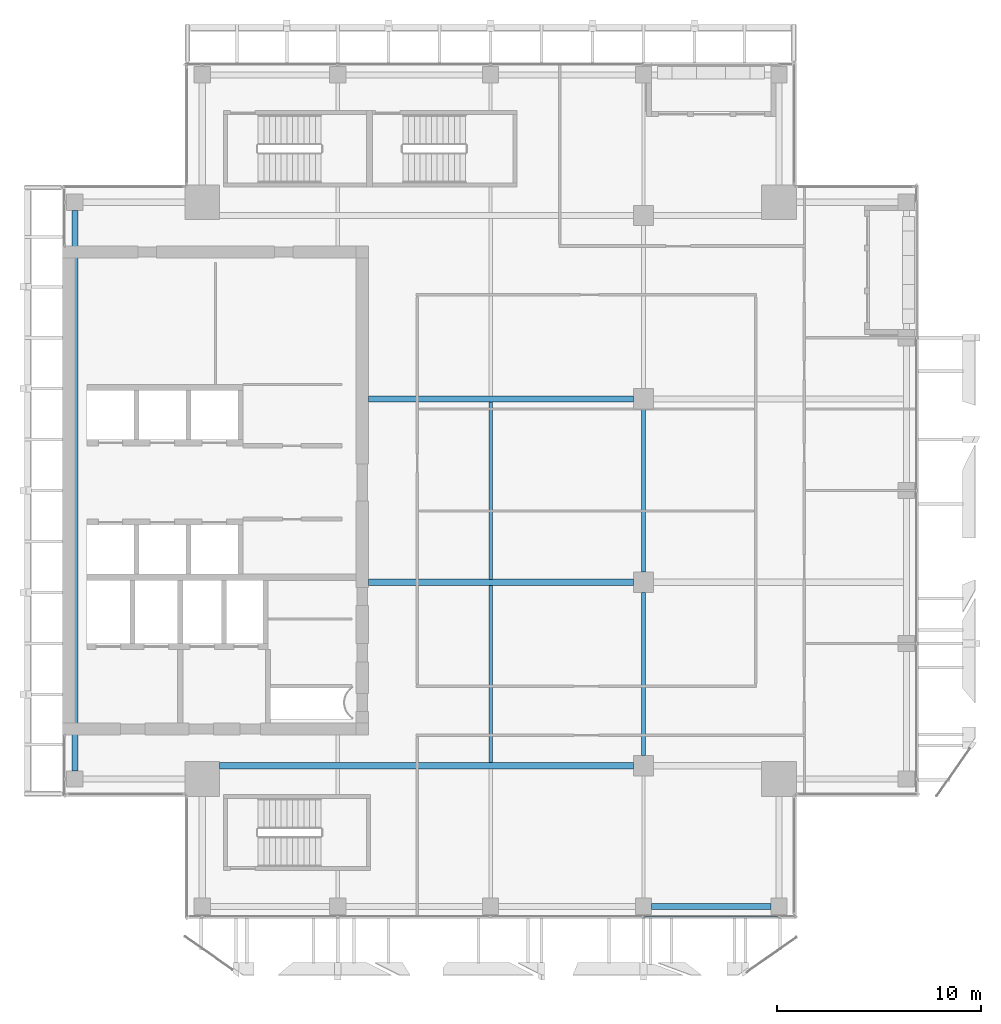
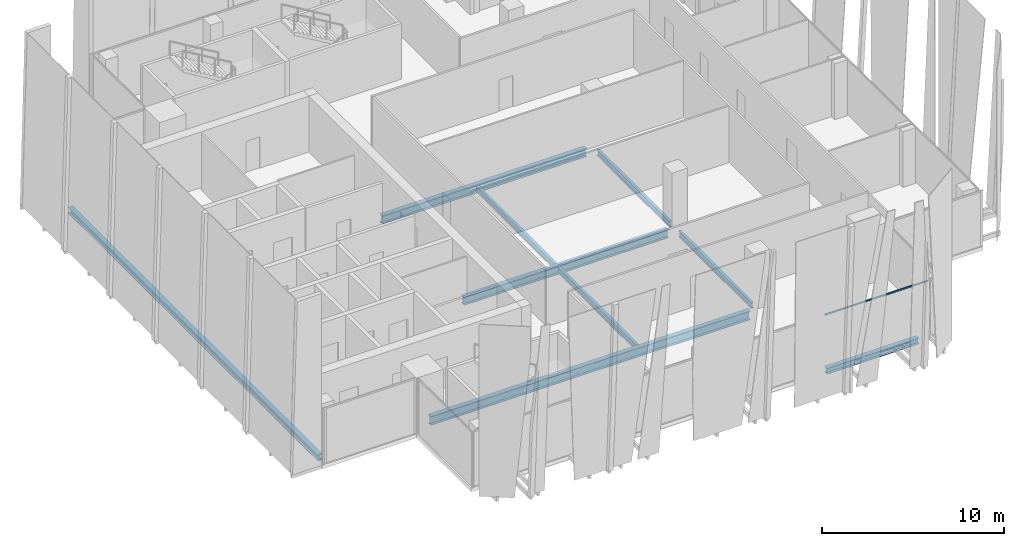
# One storey, part 6 of 32: 9 beams, 1 member, 1 element without a shape of its own.
"""IFC4 building model written with IfcOpenShell, lengths in metres."""

from ifc_helpers import new_model, si_unit, direction, frame, origin, origin_2d, place, context, subcontext, project, spatial, hollow_rectangle, i_section, extrude, source, transform, mapped, material, material_profile, profile_set, type_object, element, aggregate, save


model = new_model("IFC4")

# Units and contexts
model_context = context("Model", 3, precision=1e-05, world=origin(), true_north=direction((0.0, 1.0)))
body_context = subcontext(model_context, "Body", "Model", "MODEL_VIEW")
ifc_project = project(units=[si_unit("LENGTHUNIT", "METRE"), si_unit("AREAUNIT", "SQUARE_METRE"), si_unit("VOLUMEUNIT", "CUBIC_METRE"), si_unit("PLANEANGLEUNIT", "RADIAN"), si_unit("MASSUNIT", "GRAM", prefix="KILO")], contexts=[model_context])

# Site, building, storey
site_placement = place(None, origin())
site = spatial("IfcSite", under=ifc_project, at=site_placement, CompositionType="ELEMENT")
building_placement = place(site_placement, origin())
building = spatial("IfcBuilding", under=site, at=building_placement, Name="Khomas Fold Tower", CompositionType="ELEMENT")
storey_placement = place(building_placement, frame((0.0, 0.0, 306.199951171875)))
storey = spatial("IfcBuildingStorey", under=building, at=storey_placement, Name="L69", CompositionType="ELEMENT", Elevation=306.199951171875)

# Beams
ifc_material_1 = material(Name="Steel S355", Category="steel")
ifc_material_profile_1 = material_profile(ifc_material_1, i_section(OverallWidth=0.179931640625, OverallDepth=0.39990234375, WebThickness=0.008544921875, FlangeThickness=0.013427734375, at=origin_2d()), Name="IPE 400")
ifc_profile_set_1 = profile_set([ifc_material_profile_1], Name="Steel S355")
beam_type_1 = type_object("IfcBeamType", Name="IPE 400 beam JB3", PredefinedType="BEAM", material=ifc_profile_set_1)
shared_shape_1 = source(origin(), body_context, "Body", "SweptSolid", [
    extrude(i_section(OverallWidth=0.179931640625, OverallDepth=0.39990234375, WebThickness=0.008544921875, FlangeThickness=0.013427734375, at=origin_2d()), origin(), (0.0, 0.0, 1.0), 8.7001953125),
])
for number, where, z_axis, x_axis, name in (
    (1, (27.0, 13.64990234375, -0.449951171875), (0.0, 1.0, 0.0), (-1.0, 0.0, 0.0), "JB3"),
    (2, (27.0, 22.64990234375, -0.449951171875), (0.0, 1.0, 0.0), (-1.0, 0.0, 0.0), "JB3"),
):
    element("IfcBeam", number, at=place(storey_placement, frame(where, z_axis=z_axis, x_axis=x_axis)), inside=storey, type_object=beam_type_1, Name=name, PredefinedType="BEAM", context=body_context, shape_type="MappedRepresentation", body=[
        mapped(shared_shape_1, transform((0.0, 0.0, 0.0))),
    ])
ifc_material_2 = material(Name="Steel S355", Category="steel")
ifc_material_profile_2 = material_profile(ifc_material_2, i_section(OverallWidth=0.300048828125, OverallDepth=0.39990234375, WebThickness=0.013427734375, FlangeThickness=0.02392578125, at=origin_2d()), Name="HE 400 B")
ifc_profile_set_2 = profile_set([ifc_material_profile_2], Name="Steel S355")
beam_type_2 = type_object("IfcBeamType", Name="HE 400 B spandrel SB5", PredefinedType="SPANDREL", material=ifc_profile_set_2)
shared_shape_2 = source(origin(), body_context, "Body", "SweptSolid", [
    extrude(i_section(OverallWidth=0.300048828125, OverallDepth=0.39990234375, WebThickness=0.013427734375, FlangeThickness=0.02392578125, at=origin_2d()), origin(), (0.0, 0.0, 1.0), 5.85009765625),
])
beam_1_placement = place(storey_placement, frame((34.89990234375, 6.60009765625, -0.449951171875), z_axis=(1.0, 0.0, 0.0), x_axis=(0.0, 1.0, 0.0)))
element("IfcBeam", 3, at=beam_1_placement, inside=storey, type_object=beam_type_2, Name="SB5", PredefinedType="SPANDREL", context=body_context, shape_type="MappedRepresentation", body=[
    mapped(shared_shape_2, transform((0.0, 0.0, 0.0))),
])
shared_shape_3 = source(origin(), body_context, "Body", "SweptSolid", [
    extrude(i_section(OverallWidth=0.300048828125, OverallDepth=0.39990234375, WebThickness=0.013427734375, FlangeThickness=0.02392578125, at=origin_2d()), origin(), (0.0, 0.0, 1.0), 27.5),
])
beam_2_placement = place(storey_placement, frame((6.60009765625, 13.25, -0.449951171875), z_axis=(0.0, 1.0, 0.0), x_axis=(-1.0, 0.0, 0.0)))
element("IfcBeam", 4, at=beam_2_placement, inside=storey, type_object=beam_type_2, Name="SB5", PredefinedType="SPANDREL", context=body_context, shape_type="MappedRepresentation", body=[
    mapped(shared_shape_3, transform((0.0, 0.0, 0.0))),
])
ifc_material_3 = material(Name="Steel S355", Category="steel")
ifc_material_profile_3 = material_profile(ifc_material_3, i_section(OverallWidth=0.300048828125, OverallDepth=0.60009765625, WebThickness=0.015380859375, FlangeThickness=0.030029296875, at=origin_2d()), Name="HE 600 B")
ifc_profile_set_3 = profile_set([ifc_material_profile_3], Name="Steel S355")
beam_type_3 = type_object("IfcBeamType", Name="HE 600 B beam GB5", PredefinedType="BEAM", material=ifc_profile_set_3)
shared_shape_4 = source(origin(), body_context, "Body", "SweptSolid", [
    extrude(i_section(OverallWidth=0.300048828125, OverallDepth=0.60009765625, WebThickness=0.015380859375, FlangeThickness=0.030029296875, at=origin_2d()), origin(), (0.0, 0.0, 1.0), 20.300048828125),
])
beam_3_placement = place(storey_placement, frame((13.699951171875, 13.5, -0.550048828125), z_axis=(1.0, 0.0, 0.0), x_axis=(0.0, 1.0, 0.0)))
element("IfcBeam", 5, at=beam_3_placement, inside=storey, type_object=beam_type_3, Name="GB5", PredefinedType="BEAM", context=body_context, shape_type="MappedRepresentation", body=[
    mapped(shared_shape_4, transform((0.0, 0.0, 0.0))),
])
ifc_material_4 = material(Name="Steel S355", Category="steel")
ifc_material_profile_4 = material_profile(ifc_material_4, i_section(OverallWidth=0.300048828125, OverallDepth=0.550048828125, WebThickness=0.014892578125, FlangeThickness=0.029052734375, at=origin_2d()), Name="HE 550 B")
ifc_profile_set_4 = profile_set([ifc_material_profile_4], Name="Steel S355")
beam_type_4 = type_object("IfcBeamType", Name="HE 550 B beam GB4", PredefinedType="BEAM", material=ifc_profile_set_4)
shared_shape_5 = source(origin(), body_context, "Body", "SweptSolid", [
    extrude(i_section(OverallWidth=0.300048828125, OverallDepth=0.550048828125, WebThickness=0.014892578125, FlangeThickness=0.029052734375, at=origin_2d()), origin(), (0.0, 0.0, 1.0), 13.0),
])
for number, where, z_axis, x_axis, name in (
    (6, (21.0, 22.5, -0.52490234375), (1.0, 0.0, 0.0), (0.0, 1.0, 0.0), "GB4"),
    (7, (21.0, 31.5, -0.52490234375), (1.0, 0.0, 0.0), (0.0, 1.0, 0.0), "GB4"),
):
    element("IfcBeam", number, at=place(storey_placement, frame(where, z_axis=z_axis, x_axis=x_axis)), inside=storey, type_object=beam_type_4, Name=name, PredefinedType="BEAM", context=body_context, shape_type="MappedRepresentation", body=[
        mapped(shared_shape_5, transform((0.0, 0.0, 0.0))),
    ])
shared_shape_6 = source(origin(), body_context, "Body", "SweptSolid", [
    extrude(i_section(OverallWidth=0.179931640625, OverallDepth=0.39990234375, WebThickness=0.008544921875, FlangeThickness=0.013427734375, at=origin_2d()), origin(), (0.0, 0.0, 1.0), 8.0),
])
for number, where, z_axis, x_axis, name in (
    (8, (34.5, 14.0, -0.449951171875), (0.0, 1.0, 0.0), (-1.0, 0.0, 0.0), "JB3"),
    (9, (34.5, 23.0, -0.449951171875), (0.0, 1.0, 0.0), (-1.0, 0.0, 0.0), "JB3"),
):
    element("IfcBeam", number, at=place(storey_placement, frame(where, z_axis=z_axis, x_axis=x_axis)), inside=storey, type_object=beam_type_1, Name=name, PredefinedType="BEAM", context=body_context, shape_type="MappedRepresentation", body=[
        mapped(shared_shape_6, transform((0.0, 0.0, 0.0))),
    ])

# Curtain wall, member
ifc_material_5 = material(Name="Aluminium framed double glazing", Category="aluminium")
curtain_wall_type = type_object("IfcCurtainWallType", Name="SK-Unitised clear-glass wall, upper floors CW3", PredefinedType="NOTDEFINED", material=ifc_material_5)
curtain_wall_placement = place(storey_placement, origin())
curtain_wall = element("IfcCurtainWall", 10, at=curtain_wall_placement, inside=storey, type_object=curtain_wall_type, Name="CW3 run L69 00-0", PredefinedType="NOTDEFINED")
ifc_material_6 = material(Name="Aluminium", Category="aluminium")
ifc_material_profile_5 = material_profile(ifc_material_6, hollow_rectangle(XDim=0.050048828125, YDim=0.10009765625, WallThickness=0.00390625, at=origin_2d()), Name="SK-Unitised clear-glass wall, upper floors transom CW3-T")
ifc_profile_set_5 = profile_set([ifc_material_profile_5], Name="Aluminium")
member_type = type_object("IfcMemberType", Name="SK-Unitised clear-glass wall, upper floors transom CW3-T", PredefinedType="USERDEFINED", material=ifc_profile_set_5)
shared_shape_7 = source(origin(), body_context, "Body", "SweptSolid", [
    extrude(hollow_rectangle(XDim=0.050048828125, YDim=0.10009765625, WallThickness=0.00390625, at=origin_2d()), origin(), (0.0, 0.0, 1.0), 6.60009765625),
])
member_placement = place(storey_placement, frame((34.52490234375, 6.10009765625, 3.699951171875), z_axis=(1.0, 0.0, 0.0), x_axis=(0.0, 1.0, 0.0)))
member = element("IfcMember", 11, at=member_placement, type_object=member_type, Name="CW3 transom 5", ObjectType="TRANSOM", PredefinedType="USERDEFINED", context=body_context, shape_type="MappedRepresentation", body=[
    mapped(shared_shape_7, transform((0.0, 0.0, 0.0))),
])
aggregate(curtain_wall, [member])

save(model, "model.ifc")
